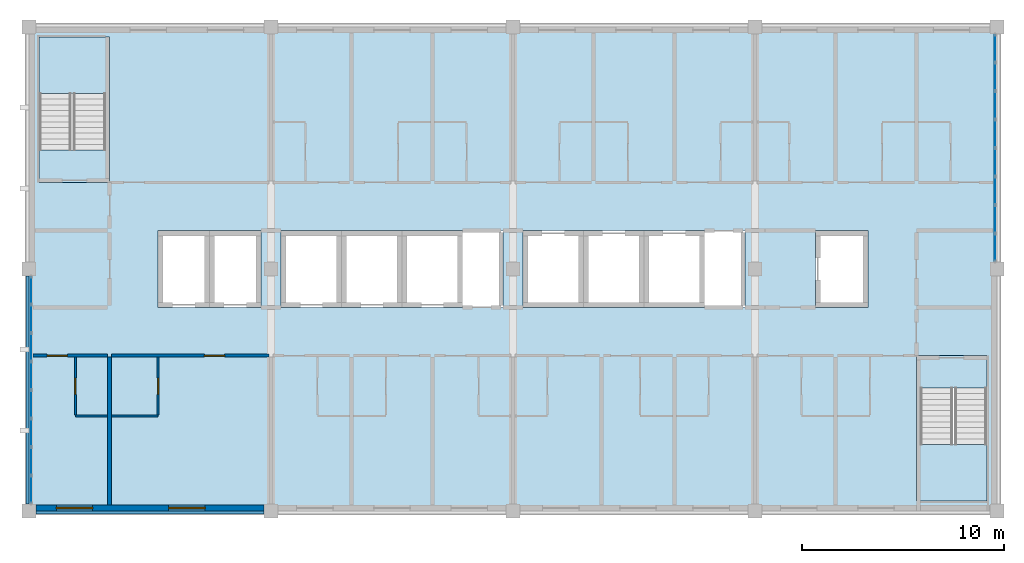
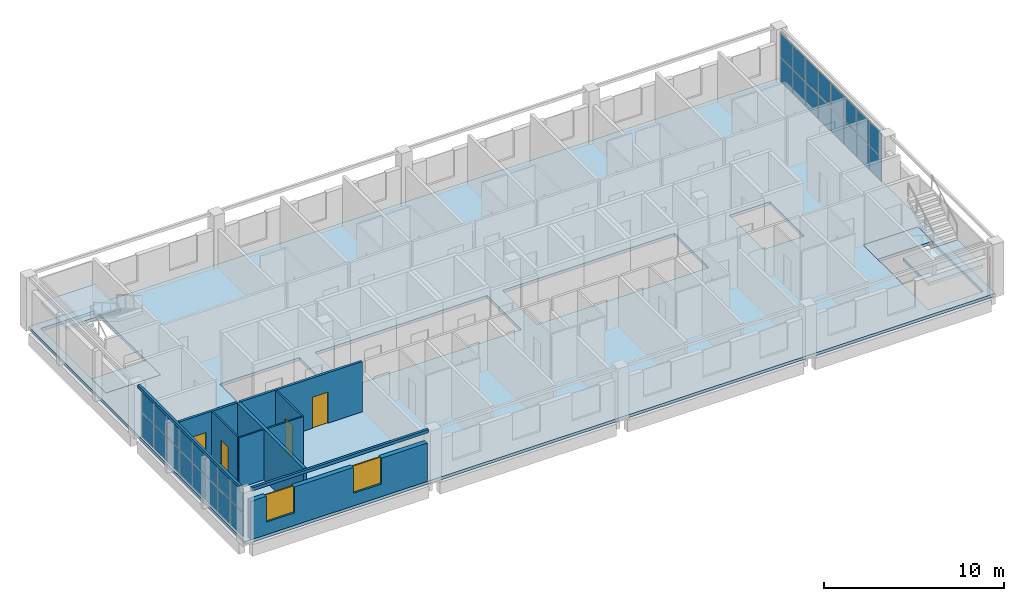
# One storey, part 5 of 11: 32 plates, 10 walls, 5 slabs, 4 doors, 2 windows, 6 openings, 4 elements without a shape of their own.
"""IFC4 building model written with IfcOpenShell, lengths in metres."""

from ifc_helpers import new_model, si_unit, direction, frame, frame_2d, origin, origin_2d, place, context, subcontext, project, spatial, polyline, rectangle, outline, extrude, material, layer, layer_set, type_object, element, fill, aggregate, save


model = new_model("IFC4")

# Units and contexts
model_context = context("Model", 3, precision=1e-05, world=origin(), true_north=direction((0.0, 1.0)))
body_context = subcontext(model_context, "Body", "Model", "MODEL_VIEW")
ifc_project = project(units=[si_unit("LENGTHUNIT", "METRE"), si_unit("AREAUNIT", "SQUARE_METRE"), si_unit("VOLUMEUNIT", "CUBIC_METRE"), si_unit("PLANEANGLEUNIT", "RADIAN"), si_unit("MASSUNIT", "GRAM", prefix="KILO")], contexts=[model_context])

# Site, building, storey
site_placement = place(None, origin())
site = spatial("IfcSite", under=ifc_project, at=site_placement, CompositionType="ELEMENT")
building_placement = place(site_placement, origin())
building = spatial("IfcBuilding", under=site, at=building_placement, Name="Lilac Gate Convention Centre", CompositionType="ELEMENT")
storey_placement = place(building_placement, frame((0.0, 0.0, 57.0)))
storey = spatial("IfcBuildingStorey", under=building, at=storey_placement, Name="L14", CompositionType="ELEMENT", Elevation=57.0)

# Curtain wall, plates
ifc_material_1 = material(Name="Aluminium framed double glazing", Category="aluminium")
ifc_layer_1 = layer(ifc_material_1, 0.199951171875)
ifc_layer_set_1 = layer_set([ifc_layer_1], Name="Aluminium framed double glazing")
curtain_wall_type = type_object("IfcCurtainWallType", Name="Unitised curtain wall 1500", PredefinedType="NOTDEFINED", material=ifc_layer_set_1)
curtain_wall_1_placement = place(storey_placement, origin())
curtain_wall_1 = element("IfcCurtainWall", 1, at=curtain_wall_1_placement, inside=storey, type_object=curtain_wall_type, Name="Curtain wall E L14 2", PredefinedType="NOTDEFINED")
ifc_material_2 = material(Name="Double glazed unit low emissivity")
ifc_layer_2 = layer(ifc_material_2, 0.028076171875)
ifc_layer_set_2 = layer_set([ifc_layer_2], Name="Double glazed unit low emissivity")
plate_type_1 = type_object("IfcPlateType", Name="Curtain wall glass panel 28", PredefinedType="CURTAIN_PANEL", material=ifc_layer_set_2)
plate_1_placement = place(storey_placement, frame((89.89990234375, 235.0712890625, 1.72998046875), z_axis=(0.0, 0.0, 1.0), x_axis=(0.0, 1.0, 0.0)))
plate_1 = element("IfcPlate", 2, at=plate_1_placement, type_object=plate_type_1, Name="CW panel 1.2", PredefinedType="CURTAIN_PANEL", context=body_context, shape_type="SweptSolid", body=[
    extrude(rectangle(XDim=1.322509765625, YDim=0.028076171875, at=origin_2d()), origin(), (0.0, 0.0, 1.0), 1.60986328125),
])
plate_2_placement = place(storey_placement, frame((89.89990234375, 236.46875, 1.72998046875), z_axis=(0.0, 0.0, 1.0), x_axis=(0.0, 1.0, 0.0)))
plate_2 = element("IfcPlate", 3, at=plate_2_placement, type_object=plate_type_1, Name="CW panel 2.2", PredefinedType="CURTAIN_PANEL", context=body_context, shape_type="SweptSolid", body=[
    extrude(rectangle(XDim=1.3525390625, YDim=0.028076171875, at=origin_2d()), origin(), (0.0, 0.0, 1.0), 1.60986328125),
])
plate_3_placement = place(storey_placement, frame((89.89990234375, 237.88134765625, 1.72998046875), z_axis=(0.0, 0.0, 1.0), x_axis=(0.0, 1.0, 0.0)))
plate_3 = element("IfcPlate", 4, at=plate_3_placement, type_object=plate_type_1, Name="CW panel 3.2", PredefinedType="CURTAIN_PANEL", context=body_context, shape_type="SweptSolid", body=[
    extrude(rectangle(XDim=1.3525390625, YDim=0.028076171875, at=origin_2d()), origin(), (0.0, 0.0, 1.0), 1.60986328125),
])
plate_4_placement = place(storey_placement, frame((89.89990234375, 239.293701171875, 1.72998046875), z_axis=(0.0, 0.0, 1.0), x_axis=(0.0, 1.0, 0.0)))
plate_4 = element("IfcPlate", 5, at=plate_4_placement, type_object=plate_type_1, Name="CW panel 4.2", PredefinedType="CURTAIN_PANEL", context=body_context, shape_type="SweptSolid", body=[
    extrude(rectangle(XDim=1.3525390625, YDim=0.028076171875, at=origin_2d()), origin(), (0.0, 0.0, 1.0), 1.60986328125),
])
plate_5_placement = place(storey_placement, frame((89.89990234375, 240.706298828125, 1.72998046875), z_axis=(0.0, 0.0, 1.0), x_axis=(0.0, 1.0, 0.0)))
plate_5 = element("IfcPlate", 6, at=plate_5_placement, type_object=plate_type_1, Name="CW panel 5.2", PredefinedType="CURTAIN_PANEL", context=body_context, shape_type="SweptSolid", body=[
    extrude(rectangle(XDim=1.3525390625, YDim=0.028076171875, at=origin_2d()), origin(), (0.0, 0.0, 1.0), 1.60986328125),
])
plate_6_placement = place(storey_placement, frame((89.89990234375, 242.11865234375, 1.72998046875), z_axis=(0.0, 0.0, 1.0), x_axis=(0.0, 1.0, 0.0)))
plate_6 = element("IfcPlate", 7, at=plate_6_placement, type_object=plate_type_1, Name="CW panel 6.2", PredefinedType="CURTAIN_PANEL", context=body_context, shape_type="SweptSolid", body=[
    extrude(rectangle(XDim=1.3525390625, YDim=0.028076171875, at=origin_2d()), origin(), (0.0, 0.0, 1.0), 1.60986328125),
])
plate_7_placement = place(storey_placement, frame((89.89990234375, 243.53125, 1.72998046875), z_axis=(0.0, 0.0, 1.0), x_axis=(0.0, 1.0, 0.0)))
plate_7 = element("IfcPlate", 8, at=plate_7_placement, type_object=plate_type_1, Name="CW panel 7.2", PredefinedType="CURTAIN_PANEL", context=body_context, shape_type="SweptSolid", body=[
    extrude(rectangle(XDim=1.3525390625, YDim=0.028076171875, at=origin_2d()), origin(), (0.0, 0.0, 1.0), 1.60986328125),
])
plate_8_placement = place(storey_placement, frame((89.89990234375, 244.9287109375, 1.72998046875), z_axis=(0.0, 0.0, 1.0), x_axis=(0.0, 1.0, 0.0)))
plate_8 = element("IfcPlate", 9, at=plate_8_placement, type_object=plate_type_1, Name="CW panel 8.2", PredefinedType="CURTAIN_PANEL", context=body_context, shape_type="SweptSolid", body=[
    extrude(rectangle(XDim=1.322509765625, YDim=0.028076171875, at=origin_2d()), origin(), (0.0, 0.0, 1.0), 1.60986328125),
])

curtain_wall_2_placement = place(storey_placement, origin())
curtain_wall_2 = element("IfcCurtainWall", 10, at=curtain_wall_2_placement, inside=storey, type_object=curtain_wall_type, Name="Curtain wall W L14 2", PredefinedType="NOTDEFINED")
plate_9_placement = place(storey_placement, frame((42.10009765625, 232.9287109375, 1.72998046875), z_axis=(0.0, 0.0, 1.0), x_axis=(0.0, -1.0, 0.0)))
plate_9 = element("IfcPlate", 11, at=plate_9_placement, type_object=plate_type_1, Name="CW panel 1.2", PredefinedType="CURTAIN_PANEL", context=body_context, shape_type="SweptSolid", body=[
    extrude(rectangle(XDim=1.322509765625, YDim=0.028076171875, at=origin_2d()), origin(), (0.0, 0.0, 1.0), 1.60986328125),
])
plate_10_placement = place(storey_placement, frame((42.10009765625, 231.53125, 1.72998046875), z_axis=(0.0, 0.0, 1.0), x_axis=(0.0, -1.0, 0.0)))
plate_10 = element("IfcPlate", 12, at=plate_10_placement, type_object=plate_type_1, Name="CW panel 2.2", PredefinedType="CURTAIN_PANEL", context=body_context, shape_type="SweptSolid", body=[
    extrude(rectangle(XDim=1.3525390625, YDim=0.028076171875, at=origin_2d()), origin(), (0.0, 0.0, 1.0), 1.60986328125),
])
plate_11_placement = place(storey_placement, frame((42.10009765625, 230.11865234375, 1.72998046875), z_axis=(0.0, 0.0, 1.0), x_axis=(0.0, -1.0, 0.0)))
plate_11 = element("IfcPlate", 13, at=plate_11_placement, type_object=plate_type_1, Name="CW panel 3.2", PredefinedType="CURTAIN_PANEL", context=body_context, shape_type="SweptSolid", body=[
    extrude(rectangle(XDim=1.3525390625, YDim=0.028076171875, at=origin_2d()), origin(), (0.0, 0.0, 1.0), 1.60986328125),
])
plate_12_placement = place(storey_placement, frame((42.10009765625, 228.706298828125, 1.72998046875), z_axis=(0.0, 0.0, 1.0), x_axis=(0.0, -1.0, 0.0)))
plate_12 = element("IfcPlate", 14, at=plate_12_placement, type_object=plate_type_1, Name="CW panel 4.2", PredefinedType="CURTAIN_PANEL", context=body_context, shape_type="SweptSolid", body=[
    extrude(rectangle(XDim=1.3525390625, YDim=0.028076171875, at=origin_2d()), origin(), (0.0, 0.0, 1.0), 1.60986328125),
])
plate_13_placement = place(storey_placement, frame((42.10009765625, 227.293701171875, 1.72998046875), z_axis=(0.0, 0.0, 1.0), x_axis=(0.0, -1.0, 0.0)))
plate_13 = element("IfcPlate", 15, at=plate_13_placement, type_object=plate_type_1, Name="CW panel 5.2", PredefinedType="CURTAIN_PANEL", context=body_context, shape_type="SweptSolid", body=[
    extrude(rectangle(XDim=1.3525390625, YDim=0.028076171875, at=origin_2d()), origin(), (0.0, 0.0, 1.0), 1.60986328125),
])
plate_14_placement = place(storey_placement, frame((42.10009765625, 225.88134765625, 1.72998046875), z_axis=(0.0, 0.0, 1.0), x_axis=(0.0, -1.0, 0.0)))
plate_14 = element("IfcPlate", 16, at=plate_14_placement, type_object=plate_type_1, Name="CW panel 6.2", PredefinedType="CURTAIN_PANEL", context=body_context, shape_type="SweptSolid", body=[
    extrude(rectangle(XDim=1.3525390625, YDim=0.028076171875, at=origin_2d()), origin(), (0.0, 0.0, 1.0), 1.60986328125),
])
plate_15_placement = place(storey_placement, frame((42.10009765625, 224.46875, 1.72998046875), z_axis=(0.0, 0.0, 1.0), x_axis=(0.0, -1.0, 0.0)))
plate_15 = element("IfcPlate", 17, at=plate_15_placement, type_object=plate_type_1, Name="CW panel 7.2", PredefinedType="CURTAIN_PANEL", context=body_context, shape_type="SweptSolid", body=[
    extrude(rectangle(XDim=1.3525390625, YDim=0.028076171875, at=origin_2d()), origin(), (0.0, 0.0, 1.0), 1.60986328125),
])
plate_16_placement = place(storey_placement, frame((42.10009765625, 223.0712890625, 1.72998046875), z_axis=(0.0, 0.0, 1.0), x_axis=(0.0, -1.0, 0.0)))
plate_16 = element("IfcPlate", 18, at=plate_16_placement, type_object=plate_type_1, Name="CW panel 8.2", PredefinedType="CURTAIN_PANEL", context=body_context, shape_type="SweptSolid", body=[
    extrude(rectangle(XDim=1.322509765625, YDim=0.028076171875, at=origin_2d()), origin(), (0.0, 0.0, 1.0), 1.60986328125),
])

# Plate
ifc_material_3 = material(Name="Insulated aluminium spandrel panel", Category="aluminium")
ifc_layer_3 = layer(ifc_material_3, 0.028076171875)
ifc_layer_set_3 = layer_set([ifc_layer_3], Name="Insulated aluminium spandrel panel")
plate_type_2 = type_object("IfcPlateType", Name="Curtain wall spandrel panel 28", PredefinedType="CURTAIN_PANEL", material=ifc_layer_set_3)
plate_17_placement = place(storey_placement, frame((89.89990234375, 235.0712890625, 0.06005859375), z_axis=(0.0, 0.0, 1.0), x_axis=(0.0, 1.0, 0.0)))
plate_17 = element("IfcPlate", 19, at=plate_17_placement, type_object=plate_type_2, Name="CW spandrel 1.1", PredefinedType="CURTAIN_PANEL", context=body_context, shape_type="SweptSolid", body=[
    extrude(rectangle(XDim=1.322509765625, YDim=0.028076171875, at=origin_2d()), origin(), (0.0, 0.0, 1.0), 1.610107421875),
])

plate_18_placement = place(storey_placement, frame((89.89990234375, 236.46875, 0.06005859375), z_axis=(0.0, 0.0, 1.0), x_axis=(0.0, 1.0, 0.0)))
plate_18 = element("IfcPlate", 20, at=plate_18_placement, type_object=plate_type_2, Name="CW spandrel 2.1", PredefinedType="CURTAIN_PANEL", context=body_context, shape_type="SweptSolid", body=[
    extrude(rectangle(XDim=1.3525390625, YDim=0.028076171875, at=origin_2d()), origin(), (0.0, 0.0, 1.0), 1.610107421875),
])

plate_19_placement = place(storey_placement, frame((89.89990234375, 237.88134765625, 0.06005859375), z_axis=(0.0, 0.0, 1.0), x_axis=(0.0, 1.0, 0.0)))
plate_19 = element("IfcPlate", 21, at=plate_19_placement, type_object=plate_type_2, Name="CW spandrel 3.1", PredefinedType="CURTAIN_PANEL", context=body_context, shape_type="SweptSolid", body=[
    extrude(rectangle(XDim=1.3525390625, YDim=0.028076171875, at=origin_2d()), origin(), (0.0, 0.0, 1.0), 1.610107421875),
])

plate_20_placement = place(storey_placement, frame((89.89990234375, 239.293701171875, 0.06005859375), z_axis=(0.0, 0.0, 1.0), x_axis=(0.0, 1.0, 0.0)))
plate_20 = element("IfcPlate", 22, at=plate_20_placement, type_object=plate_type_2, Name="CW spandrel 4.1", PredefinedType="CURTAIN_PANEL", context=body_context, shape_type="SweptSolid", body=[
    extrude(rectangle(XDim=1.3525390625, YDim=0.028076171875, at=origin_2d()), origin(), (0.0, 0.0, 1.0), 1.610107421875),
])

plate_21_placement = place(storey_placement, frame((89.89990234375, 240.706298828125, 0.06005859375), z_axis=(0.0, 0.0, 1.0), x_axis=(0.0, 1.0, 0.0)))
plate_21 = element("IfcPlate", 23, at=plate_21_placement, type_object=plate_type_2, Name="CW spandrel 5.1", PredefinedType="CURTAIN_PANEL", context=body_context, shape_type="SweptSolid", body=[
    extrude(rectangle(XDim=1.3525390625, YDim=0.028076171875, at=origin_2d()), origin(), (0.0, 0.0, 1.0), 1.610107421875),
])

plate_22_placement = place(storey_placement, frame((89.89990234375, 242.11865234375, 0.06005859375), z_axis=(0.0, 0.0, 1.0), x_axis=(0.0, 1.0, 0.0)))
plate_22 = element("IfcPlate", 24, at=plate_22_placement, type_object=plate_type_2, Name="CW spandrel 6.1", PredefinedType="CURTAIN_PANEL", context=body_context, shape_type="SweptSolid", body=[
    extrude(rectangle(XDim=1.3525390625, YDim=0.028076171875, at=origin_2d()), origin(), (0.0, 0.0, 1.0), 1.610107421875),
])

plate_23_placement = place(storey_placement, frame((89.89990234375, 243.53125, 0.06005859375), z_axis=(0.0, 0.0, 1.0), x_axis=(0.0, 1.0, 0.0)))
plate_23 = element("IfcPlate", 25, at=plate_23_placement, type_object=plate_type_2, Name="CW spandrel 7.1", PredefinedType="CURTAIN_PANEL", context=body_context, shape_type="SweptSolid", body=[
    extrude(rectangle(XDim=1.3525390625, YDim=0.028076171875, at=origin_2d()), origin(), (0.0, 0.0, 1.0), 1.610107421875),
])

plate_24_placement = place(storey_placement, frame((89.89990234375, 244.9287109375, 0.06005859375), z_axis=(0.0, 0.0, 1.0), x_axis=(0.0, 1.0, 0.0)))
plate_24 = element("IfcPlate", 26, at=plate_24_placement, type_object=plate_type_2, Name="CW spandrel 8.1", PredefinedType="CURTAIN_PANEL", context=body_context, shape_type="SweptSolid", body=[
    extrude(rectangle(XDim=1.322509765625, YDim=0.028076171875, at=origin_2d()), origin(), (0.0, 0.0, 1.0), 1.610107421875),
])

aggregate(curtain_wall_1, [plate_17, plate_1, plate_18, plate_2, plate_19, plate_3, plate_20, plate_4, plate_21, plate_5, plate_22, plate_6, plate_23, plate_7, plate_24, plate_8])

plate_25_placement = place(storey_placement, frame((42.10009765625, 232.9287109375, 0.06005859375), z_axis=(0.0, 0.0, 1.0), x_axis=(0.0, -1.0, 0.0)))
plate_25 = element("IfcPlate", 27, at=plate_25_placement, type_object=plate_type_2, Name="CW spandrel 1.1", PredefinedType="CURTAIN_PANEL", context=body_context, shape_type="SweptSolid", body=[
    extrude(rectangle(XDim=1.322509765625, YDim=0.028076171875, at=origin_2d()), origin(), (0.0, 0.0, 1.0), 1.610107421875),
])

plate_26_placement = place(storey_placement, frame((42.10009765625, 231.53125, 0.06005859375), z_axis=(0.0, 0.0, 1.0), x_axis=(0.0, -1.0, 0.0)))
plate_26 = element("IfcPlate", 28, at=plate_26_placement, type_object=plate_type_2, Name="CW spandrel 2.1", PredefinedType="CURTAIN_PANEL", context=body_context, shape_type="SweptSolid", body=[
    extrude(rectangle(XDim=1.3525390625, YDim=0.028076171875, at=origin_2d()), origin(), (0.0, 0.0, 1.0), 1.610107421875),
])

plate_27_placement = place(storey_placement, frame((42.10009765625, 230.11865234375, 0.06005859375), z_axis=(0.0, 0.0, 1.0), x_axis=(0.0, -1.0, 0.0)))
plate_27 = element("IfcPlate", 29, at=plate_27_placement, type_object=plate_type_2, Name="CW spandrel 3.1", PredefinedType="CURTAIN_PANEL", context=body_context, shape_type="SweptSolid", body=[
    extrude(rectangle(XDim=1.3525390625, YDim=0.028076171875, at=origin_2d()), origin(), (0.0, 0.0, 1.0), 1.610107421875),
])

plate_28_placement = place(storey_placement, frame((42.10009765625, 228.706298828125, 0.06005859375), z_axis=(0.0, 0.0, 1.0), x_axis=(0.0, -1.0, 0.0)))
plate_28 = element("IfcPlate", 30, at=plate_28_placement, type_object=plate_type_2, Name="CW spandrel 4.1", PredefinedType="CURTAIN_PANEL", context=body_context, shape_type="SweptSolid", body=[
    extrude(rectangle(XDim=1.3525390625, YDim=0.028076171875, at=origin_2d()), origin(), (0.0, 0.0, 1.0), 1.610107421875),
])

plate_29_placement = place(storey_placement, frame((42.10009765625, 227.293701171875, 0.06005859375), z_axis=(0.0, 0.0, 1.0), x_axis=(0.0, -1.0, 0.0)))
plate_29 = element("IfcPlate", 31, at=plate_29_placement, type_object=plate_type_2, Name="CW spandrel 5.1", PredefinedType="CURTAIN_PANEL", context=body_context, shape_type="SweptSolid", body=[
    extrude(rectangle(XDim=1.3525390625, YDim=0.028076171875, at=origin_2d()), origin(), (0.0, 0.0, 1.0), 1.610107421875),
])

plate_30_placement = place(storey_placement, frame((42.10009765625, 225.88134765625, 0.06005859375), z_axis=(0.0, 0.0, 1.0), x_axis=(0.0, -1.0, 0.0)))
plate_30 = element("IfcPlate", 32, at=plate_30_placement, type_object=plate_type_2, Name="CW spandrel 6.1", PredefinedType="CURTAIN_PANEL", context=body_context, shape_type="SweptSolid", body=[
    extrude(rectangle(XDim=1.3525390625, YDim=0.028076171875, at=origin_2d()), origin(), (0.0, 0.0, 1.0), 1.610107421875),
])

plate_31_placement = place(storey_placement, frame((42.10009765625, 224.46875, 0.06005859375), z_axis=(0.0, 0.0, 1.0), x_axis=(0.0, -1.0, 0.0)))
plate_31 = element("IfcPlate", 33, at=plate_31_placement, type_object=plate_type_2, Name="CW spandrel 7.1", PredefinedType="CURTAIN_PANEL", context=body_context, shape_type="SweptSolid", body=[
    extrude(rectangle(XDim=1.3525390625, YDim=0.028076171875, at=origin_2d()), origin(), (0.0, 0.0, 1.0), 1.610107421875),
])

plate_32_placement = place(storey_placement, frame((42.10009765625, 223.0712890625, 0.06005859375), z_axis=(0.0, 0.0, 1.0), x_axis=(0.0, -1.0, 0.0)))
plate_32 = element("IfcPlate", 34, at=plate_32_placement, type_object=plate_type_2, Name="CW spandrel 8.1", PredefinedType="CURTAIN_PANEL", context=body_context, shape_type="SweptSolid", body=[
    extrude(rectangle(XDim=1.322509765625, YDim=0.028076171875, at=origin_2d()), origin(), (0.0, 0.0, 1.0), 1.610107421875),
])

aggregate(curtain_wall_2, [plate_25, plate_9, plate_26, plate_10, plate_27, plate_11, plate_28, plate_12, plate_29, plate_13, plate_30, plate_14, plate_31, plate_15, plate_32, plate_16])

# Stair, slabs
ifc_material_4 = material(Name="Concrete C40", Category="concrete")
stair_type = type_object("IfcStairType", Name="Exit stair", PredefinedType="DOUBLE_RETURN_STAIR", material=ifc_material_4)
stair_1_placement = place(storey_placement, origin())
stair_1 = element("IfcStair", 35, at=stair_1_placement, inside=storey, type_object=stair_type, Name="Exit stair NW L14", PredefinedType="DOUBLE_RETURN_STAIR")
ifc_layer_4 = layer(ifc_material_4, 0.199951171875)
ifc_layer_set_4 = layer_set([ifc_layer_4], Name="Concrete C40")
slab_type_1 = type_object("IfcSlabType", Name="Exit stair landing", PredefinedType="LANDING", material=ifc_layer_set_4)
slab_1_placement = place(storey_placement, frame((0.0, 0.0, -0.199951171875)))
slab_1 = element("IfcSlab", 36, at=slab_1_placement, type_object=slab_type_1, Name="ST-NW landing 1", PredefinedType="LANDING", context=body_context, shape_type="SweptSolid", body=[
    extrude(outline(polyline([(42.5, 238.300048828125), (46.0, 238.300048828125), (46.0, 239.89990234375), (42.5, 239.89990234375), (42.5, 238.300048828125)])), origin(), (0.0, 0.0, 1.0), 0.199951171875),
])
slab_2_placement = place(storey_placement, frame((0.0, 0.0, 1.60009765625)))
slab_2 = element("IfcSlab", 37, at=slab_2_placement, type_object=slab_type_1, Name="ST-NW landing 2", PredefinedType="LANDING", context=body_context, shape_type="SweptSolid", body=[
    extrude(outline(polyline([(42.5, 242.699951171875), (46.0, 242.699951171875), (46.0, 245.5), (42.5, 245.5), (42.5, 242.699951171875)])), origin(), (0.0, 0.0, 1.0), 0.199951171875),
])
aggregate(stair_1, [slab_1, slab_2])

stair_2_placement = place(storey_placement, origin())
stair_2 = element("IfcStair", 38, at=stair_2_placement, inside=storey, type_object=stair_type, Name="Exit stair SE L14", PredefinedType="DOUBLE_RETURN_STAIR")
slab_3_placement = place(storey_placement, frame((0.0, 0.0, -0.199951171875)))
slab_3 = element("IfcSlab", 39, at=slab_3_placement, type_object=slab_type_1, Name="ST-SE landing 1", PredefinedType="LANDING", context=body_context, shape_type="SweptSolid", body=[
    extrude(outline(polyline([(86.0, 228.10009765625), (89.5, 228.10009765625), (89.5, 229.699951171875), (86.0, 229.699951171875), (86.0, 228.10009765625)])), origin(), (0.0, 0.0, 1.0), 0.199951171875),
])
slab_4_placement = place(storey_placement, frame((0.0, 0.0, 1.60009765625)))
slab_4 = element("IfcSlab", 40, at=slab_4_placement, type_object=slab_type_1, Name="ST-SE landing 2", PredefinedType="LANDING", context=body_context, shape_type="SweptSolid", body=[
    extrude(outline(polyline([(86.0, 222.5), (89.5, 222.5), (89.5, 225.300048828125), (86.0, 225.300048828125), (86.0, 222.5)])), origin(), (0.0, 0.0, 1.0), 0.199951171875),
])
aggregate(stair_2, [slab_3, slab_4])

# Slab
ifc_layer_5 = layer(ifc_material_4, 0.199951171875)
ifc_layer_set_5 = layer_set([ifc_layer_5], Name="Concrete C40")
slab_type_2 = type_object("IfcSlabType", Name="Floor slab 200 C40", PredefinedType="FLOOR", material=ifc_layer_set_5)
slab_5_placement = place(storey_placement, frame((0.0, 0.0, -0.199951171875)))
element("IfcSlab", 41, at=slab_5_placement, inside=storey, type_object=slab_type_2, Name="FS3 slab L14 1", PredefinedType="FLOOR", context=body_context, shape_type="SweptSolid", body=[
    extrude(outline(polyline([(42.0, 222.0), (42.0, 246.0), (90.0, 246.0), (90.0, 222.0), (42.0, 222.0)]), holes=[polyline([(48.39990234375, 235.89990234375), (48.39990234375, 232.10009765625), (50.949951171875, 232.10009765625), (53.5, 232.10009765625), (53.5, 235.89990234375), (50.949951171875, 235.89990234375), (48.39990234375, 235.89990234375)]), polyline([(57.5, 235.89990234375), (54.5, 235.89990234375), (54.5, 232.10009765625), (57.5, 232.10009765625), (60.5, 232.10009765625), (63.5, 232.10009765625), (65.5, 232.10009765625), (65.5, 235.89990234375), (63.5, 235.89990234375), (60.5, 235.89990234375), (57.5, 235.89990234375)]), polyline([(42.5, 245.5), (42.5, 238.300048828125), (46.0, 238.300048828125), (46.0, 245.5), (42.5, 245.5)]), polyline([(89.5, 229.699951171875), (86.0, 229.699951171875), (86.0, 222.5), (89.5, 222.5), (89.5, 229.699951171875)]), polyline([(69.5, 235.89990234375), (66.5, 235.89990234375), (66.5, 232.10009765625), (69.5, 232.10009765625), (72.5, 232.10009765625), (75.5, 232.10009765625), (77.5, 232.10009765625), (77.5, 235.89990234375), (75.5, 235.89990234375), (72.5, 235.89990234375), (69.5, 235.89990234375)]), polyline([(83.60009765625, 235.89990234375), (81.0, 235.89990234375), (81.0, 232.10009765625), (83.60009765625, 232.10009765625), (83.60009765625, 235.89990234375)])]), origin(), (0.0, 0.0, 1.0), 0.199951171875),
])

# Wall, opening, door
ifc_material_5 = material(Name="Gypsum board on steel stud", Category="steel")
ifc_layer_6 = layer(ifc_material_5, 0.14990234375)
ifc_layer_set_6 = layer_set([ifc_layer_6], Name="Gypsum board on steel stud")
wall_type_1 = type_object("IfcWallType", Name="Corridor wall 150", PredefinedType="PARTITIONING", material=ifc_layer_set_6)
wall_1_placement = place(storey_placement, frame((45.89990234375, 229.699951171875, 0.0), z_axis=(0.0, 0.0, 1.0), x_axis=(-1.0, 0.0, 0.0)))
wall_1 = element("IfcWall", 42, at=wall_1_placement, inside=storey, type_object=wall_type_1, Name="Corridor wall 150 front 1401", PredefinedType="PARTITIONING", context=body_context, shape_type="SweptSolid", body=[
    extrude(rectangle(XDim=3.69970703125, YDim=0.14990234375, at=frame_2d((1.849853515625, 0.0))), origin(), (0.0, 0.0, 1.0), 3.39990234375),
])
opening_1_placement = place(wall_1_placement, frame((2.0, 0.0, 0.0)))
opening_1 = element("IfcOpeningElement", 43, at=opening_1_placement, cuts=wall_1, Name="Opening T13-008", PredefinedType="OPENING", context=body_context, shape_type="SweptSolid", body=[
    extrude(rectangle(XDim=1.0, YDim=2.10009765625, at=frame_2d((0.5, 1.050048828125))), frame((0.0, 0.0849609375, 0.0), z_axis=(0.0, -1.0, 0.0), x_axis=(1.0, 0.0, 0.0)), (0.0, 0.0, 1.0), 0.169921875),
])
ifc_material_6 = material(Name="Timber", Category="wood")
door_type_1 = type_object("IfcDoorType", Name="Guest room entrance door 1000", OperationType="SINGLE_SWING_LEFT", PredefinedType="DOOR", material=ifc_material_6)
door_1_placement = place(opening_1_placement, origin())
door_1 = element("IfcDoor", 44, at=door_1_placement, inside=storey, type_object=door_type_1, Name="Guest room door 1401", OperationType="SINGLE_SWING_LEFT", OverallHeight=2.10009765625, OverallWidth=1.0, PredefinedType="DOOR", context=body_context, shape_type="SweptSolid", body=[
    extrude(rectangle(XDim=1.0, YDim=2.10009765625, at=frame_2d((0.5, 1.050048828125))), frame((0.0, 0.02490234375, 0.0), z_axis=(0.0, -1.0, 0.0), x_axis=(1.0, 0.0, 0.0)), (0.0, 0.0, 1.0), 0.050048828125),
])
fill(opening_1, door_1)

wall_2_placement = place(storey_placement, frame((53.89990234375, 229.699951171875, 0.0), z_axis=(0.0, 0.0, 1.0), x_axis=(-1.0, 0.0, 0.0)))
wall_2 = element("IfcWall", 45, at=wall_2_placement, inside=storey, type_object=wall_type_1, Name="Corridor wall 150 front 1402", PredefinedType="PARTITIONING", context=body_context, shape_type="SweptSolid", body=[
    extrude(rectangle(XDim=7.7998046875, YDim=0.14990234375, at=frame_2d((3.89990234375, 0.0))), origin(), (0.0, 0.0, 1.0), 3.39990234375),
])
opening_2_placement = place(wall_2_placement, frame((2.199951171875, 0.0, 0.0)))
opening_2 = element("IfcOpeningElement", 46, at=opening_2_placement, cuts=wall_2, Name="Opening T13-010", PredefinedType="OPENING", context=body_context, shape_type="SweptSolid", body=[
    extrude(rectangle(XDim=1.0, YDim=2.10009765625, at=frame_2d((0.5, 1.050048828125))), frame((0.0, 0.0849609375, 0.0), z_axis=(0.0, -1.0, 0.0), x_axis=(1.0, 0.0, 0.0)), (0.0, 0.0, 1.0), 0.169921875),
])
door_2_placement = place(opening_2_placement, origin())
door_2 = element("IfcDoor", 47, at=door_2_placement, inside=storey, type_object=door_type_1, Name="Guest room door 1402", OperationType="SINGLE_SWING_LEFT", OverallHeight=2.10009765625, OverallWidth=1.0, PredefinedType="DOOR", context=body_context, shape_type="SweptSolid", body=[
    extrude(rectangle(XDim=1.0, YDim=2.10009765625, at=frame_2d((0.5, 1.050048828125))), frame((0.0, 0.02490234375, 0.0), z_axis=(0.0, -1.0, 0.0), x_axis=(1.0, 0.0, 0.0)), (0.0, 0.0, 1.0), 0.050048828125),
])
fill(opening_2, door_2)

# Wall
ifc_layer_7 = layer(ifc_material_5, 0.10009765625)
ifc_layer_set_7 = layer_set([ifc_layer_7], Name="Gypsum board on steel stud")
wall_type_2 = type_object("IfcWallType", Name="En-suite wall 100", PredefinedType="PARTITIONING", material=ifc_layer_set_7)
wall_3_placement = place(storey_placement, frame((44.300048828125, 226.699951171875, 0.0), z_axis=(0.0, 0.0, 1.0), x_axis=(1.0, 0.0, 0.0)))
element("IfcWall", 48, at=wall_3_placement, inside=storey, type_object=wall_type_2, Name="En-suite wall 100 bath 1401", PredefinedType="PARTITIONING", context=body_context, shape_type="SweptSolid", body=[
    extrude(rectangle(XDim=1.599853515625, YDim=0.10009765625, at=frame_2d((0.7998046875, 0.0))), origin(), (0.0, 0.0, 1.0), 3.39990234375),
])

# Wall, opening, door
wall_4_placement = place(storey_placement, frame((44.300048828125, 226.75, 0.0), z_axis=(0.0, 0.0, 1.0), x_axis=(0.0, 1.0, 0.0)))
wall_4 = element("IfcWall", 49, at=wall_4_placement, inside=storey, type_object=wall_type_2, Name="En-suite wall 100 bath side 1401", PredefinedType="PARTITIONING", context=body_context, shape_type="SweptSolid", body=[
    extrude(rectangle(XDim=2.875, YDim=0.10009765625, at=frame_2d((1.4375, 0.0))), origin(), (0.0, 0.0, 1.0), 3.39990234375),
])
opening_3_placement = place(wall_4_placement, frame((1.03759765625, 0.0, 0.0)))
opening_3 = element("IfcOpeningElement", 50, at=opening_3_placement, cuts=wall_4, Name="Opening T13-009", PredefinedType="OPENING", context=body_context, shape_type="SweptSolid", body=[
    extrude(rectangle(XDim=0.800048828125, YDim=2.10009765625, at=frame_2d((0.39990234375, 1.050048828125))), frame((0.0, 0.06005859375, 0.0), z_axis=(0.0, -1.0, 0.0), x_axis=(1.0, 0.0, 0.0)), (0.0, 0.0, 1.0), 0.1201171875),
])
door_type_2 = type_object("IfcDoorType", Name="En-suite door 800", OperationType="SINGLE_SWING_LEFT", PredefinedType="DOOR", material=ifc_material_6)
door_3_placement = place(opening_3_placement, origin())
door_3 = element("IfcDoor", 51, at=door_3_placement, inside=storey, type_object=door_type_2, Name="En-suite door 1401", OperationType="SINGLE_SWING_RIGHT", OverallHeight=2.10009765625, OverallWidth=0.800048828125, PredefinedType="DOOR", context=body_context, shape_type="SweptSolid", body=[
    extrude(rectangle(XDim=0.800048828125, YDim=2.10009765625, at=frame_2d((0.39990234375, 1.050048828125))), frame((0.0, 0.02490234375, 0.0), z_axis=(0.0, -1.0, 0.0), x_axis=(1.0, 0.0, 0.0)), (0.0, 0.0, 1.0), 0.050048828125),
])
fill(opening_3, door_3)

# Wall
wall_5_placement = place(storey_placement, frame((46.10009765625, 226.699951171875, 0.0), z_axis=(0.0, 0.0, 1.0), x_axis=(1.0, 0.0, 0.0)))
element("IfcWall", 52, at=wall_5_placement, inside=storey, type_object=wall_type_2, Name="En-suite wall 100 bath 1402", PredefinedType="PARTITIONING", context=body_context, shape_type="SweptSolid", body=[
    extrude(rectangle(XDim=2.2998046875, YDim=0.10009765625, at=frame_2d((1.14990234375, 0.0))), origin(), (0.0, 0.0, 1.0), 3.39990234375),
])

# Wall, opening, door
wall_6_placement = place(storey_placement, frame((48.39990234375, 229.625, 0.0), z_axis=(0.0, 0.0, 1.0), x_axis=(0.0, -1.0, 0.0)))
wall_6 = element("IfcWall", 53, at=wall_6_placement, inside=storey, type_object=wall_type_2, Name="En-suite wall 100 bath side 1402", PredefinedType="PARTITIONING", context=body_context, shape_type="SweptSolid", body=[
    extrude(rectangle(XDim=2.875, YDim=0.10009765625, at=frame_2d((1.4375, 0.0))), origin(), (0.0, 0.0, 1.0), 3.39990234375),
])
opening_4_placement = place(wall_6_placement, frame((1.03759765625, 0.0, 0.0)))
opening_4 = element("IfcOpeningElement", 54, at=opening_4_placement, cuts=wall_6, Name="Opening T13-011", PredefinedType="OPENING", context=body_context, shape_type="SweptSolid", body=[
    extrude(rectangle(XDim=0.800048828125, YDim=2.10009765625, at=frame_2d((0.39990234375, 1.050048828125))), frame((0.0, 0.06005859375, 0.0), z_axis=(0.0, -1.0, 0.0), x_axis=(1.0, 0.0, 0.0)), (0.0, 0.0, 1.0), 0.1201171875),
])
door_4_placement = place(opening_4_placement, origin())
door_4 = element("IfcDoor", 55, at=door_4_placement, inside=storey, type_object=door_type_2, Name="En-suite door 1402", OperationType="SINGLE_SWING_LEFT", OverallHeight=2.10009765625, OverallWidth=0.800048828125, PredefinedType="DOOR", context=body_context, shape_type="SweptSolid", body=[
    extrude(rectangle(XDim=0.800048828125, YDim=2.10009765625, at=frame_2d((0.39990234375, 1.050048828125))), frame((0.0, 0.02490234375, 0.0), z_axis=(0.0, -1.0, 0.0), x_axis=(1.0, 0.0, 0.0)), (0.0, 0.0, 1.0), 0.050048828125),
])
fill(opening_4, door_4)

# Walls
ifc_layer_8 = layer(ifc_material_5, 0.199951171875)
ifc_layer_set_8 = layer_set([ifc_layer_8], Name="Gypsum board on steel stud")
wall_type_3 = type_object("IfcWallType", Name="Guest room party wall 200", PredefinedType="PARTITIONING", material=ifc_layer_set_8)
wall_7_placement = place(storey_placement, frame((46.0, 222.2998046875, 0.0), z_axis=(0.0, 0.0, 1.0), x_axis=(0.0, 1.0, 0.0)))
element("IfcWall", 56, at=wall_7_placement, inside=storey, type_object=wall_type_3, Name="Guest room party wall 200 party 46.0", PredefinedType="PARTITIONING", context=body_context, shape_type="SweptSolid", body=[
    extrude(rectangle(XDim=7.3251953125, YDim=0.199951171875, at=frame_2d((3.66259765625, 0.0))), origin(), (0.0, 0.0, 1.0), 3.39990234375),
])
ifc_material_7 = material(Name="Concrete C40 precast", Category="concrete")
ifc_layer_9 = layer(ifc_material_7, 0.1298828125)
ifc_material_8 = material(Name="Ochre mineral render")
ifc_layer_10 = layer(ifc_material_8, 0.02001953125)
ifc_layer_set_9 = layer_set([ifc_layer_9, ifc_layer_10], Name="Concrete C40 precast, Ochre mineral render")
wall_type_4 = type_object("IfcWallType", Name="Precast band ochre 150", PredefinedType="STANDARD", material=ifc_layer_set_9)
for number, where, z_axis, x_axis, name in (
    (57, (42.35009765625, 221.925048828125, 3.39990234375), (0.0, 0.0, 1.0), (1.0, 0.0, 0.0), "Precast band S L14 1"),
    (58, (41.925048828125, 233.64990234375, 3.39990234375), (0.0, 0.0, 1.0), (0.0, -1.0, 0.0), "Precast band W L14 2"),
):
    element("IfcWall", number, at=place(storey_placement, frame(where, z_axis=z_axis, x_axis=x_axis)), inside=storey, type_object=wall_type_4, Name=name, PredefinedType="STANDARD", context=body_context, shape_type="SweptSolid", body=[
        extrude(rectangle(XDim=11.2998046875, YDim=0.14990234375, at=frame_2d((5.64990234375, 0.0))), origin(), (0.0, 0.0, 1.0), 0.2001953125),
    ])

# Wall, openings, windows
ifc_material_9 = material(Name="Terracotta glazed cladding", Category="masonry")
ifc_layer_11 = layer(ifc_material_9, 0.02001953125)
ifc_layer_12 = layer(ifc_material_7, 0.06005859375)
ifc_material_10 = material(Name="Ventilated air cavity")
ifc_layer_13 = layer(ifc_material_10, 0.030029296875)
ifc_material_11 = material(Name="Mineral wool insulation")
ifc_layer_14 = layer(ifc_material_11, 0.1201171875)
ifc_material_12 = material(Name="Steel stud Q345 and gypsum lining", Category="steel")
ifc_layer_15 = layer(ifc_material_12, 0.070068359375)
ifc_layer_set_10 = layer_set([ifc_layer_11, ifc_layer_12, ifc_layer_13, ifc_layer_14, ifc_layer_15], Name="Terracotta glazed cladding, Concrete C40 precast, Ventilated air cavity, Mineral wool insulation, Steel stud Q345 and gypsum lining")
wall_type_5 = type_object("IfcWallType", Name="Precast panel wall terracotta 300", PredefinedType="STANDARD", material=ifc_layer_set_10)
wall_8_placement = place(storey_placement, frame((42.35009765625, 222.14990234375, 0.0), z_axis=(0.0, 0.0, 1.0), x_axis=(1.0, 0.0, 0.0)))
wall_8 = element("IfcWall", 59, at=wall_8_placement, inside=storey, type_object=wall_type_5, Name="External wall S L14 1", PredefinedType="STANDARD", context=body_context, shape_type="SweptSolid", body=[
    extrude(rectangle(XDim=11.2998046875, YDim=0.300048828125, at=frame_2d((5.64990234375, 0.0))), origin(), (0.0, 0.0, 1.0), 2.60009765625),
])
opening_5_placement = place(wall_8_placement, frame((1.0, 0.0, 0.85009765625)))
opening_5 = element("IfcOpeningElement", 60, at=opening_5_placement, cuts=wall_8, Name="Opening W1", PredefinedType="OPENING", context=body_context, shape_type="SweptSolid", body=[
    extrude(rectangle(XDim=1.800048828125, YDim=1.75, at=frame_2d((0.89990234375, 0.875))), frame((0.0, 0.159912109375, 0.0), z_axis=(0.0, -1.0, 0.0), x_axis=(1.0, 0.0, 0.0)), (0.0, 0.0, 1.0), 0.320068359375),
])
opening_6_placement = place(wall_8_placement, frame((6.574951171875, 0.0, 0.85009765625)))
opening_6 = element("IfcOpeningElement", 61, at=opening_6_placement, cuts=wall_8, Name="Opening W1", PredefinedType="OPENING", context=body_context, shape_type="SweptSolid", body=[
    extrude(rectangle(XDim=1.800048828125, YDim=1.75, at=frame_2d((0.89990234375, 0.875))), frame((0.0, 0.159912109375, 0.0), z_axis=(0.0, -1.0, 0.0), x_axis=(1.0, 0.0, 0.0)), (0.0, 0.0, 1.0), 0.320068359375),
])
window_type = type_object("IfcWindowType", Name="Guest room window 1800 x 1750", PartitioningType="DOUBLE_PANEL_VERTICAL", PredefinedType="WINDOW", material=ifc_material_1)
window_1_placement = place(opening_5_placement, origin())
window_1 = element("IfcWindow", 62, at=window_1_placement, inside=storey, type_object=window_type, Name="Window Guest S L14", OverallHeight=1.75, OverallWidth=1.800048828125, PartitioningType="SINGLE_PANEL", PredefinedType="WINDOW", context=body_context, shape_type="SweptSolid", body=[
    extrude(rectangle(XDim=1.800048828125, YDim=1.75, at=frame_2d((0.89990234375, 0.875))), frame((0.0, 0.030029296875, 0.0), z_axis=(0.0, -1.0, 0.0), x_axis=(1.0, 0.0, 0.0)), (0.0, 0.0, 1.0), 0.06005859375),
])
fill(opening_5, window_1)
window_2_placement = place(opening_6_placement, origin())
window_2 = element("IfcWindow", 63, at=window_2_placement, inside=storey, type_object=window_type, Name="Window Guest S L14", OverallHeight=1.75, OverallWidth=1.800048828125, PartitioningType="SINGLE_PANEL", PredefinedType="WINDOW", context=body_context, shape_type="SweptSolid", body=[
    extrude(rectangle(XDim=1.800048828125, YDim=1.75, at=frame_2d((0.89990234375, 0.875))), frame((0.0, 0.030029296875, 0.0), z_axis=(0.0, -1.0, 0.0), x_axis=(1.0, 0.0, 0.0)), (0.0, 0.0, 1.0), 0.06005859375),
])
fill(opening_6, window_2)

save(model, "model.ifc")
